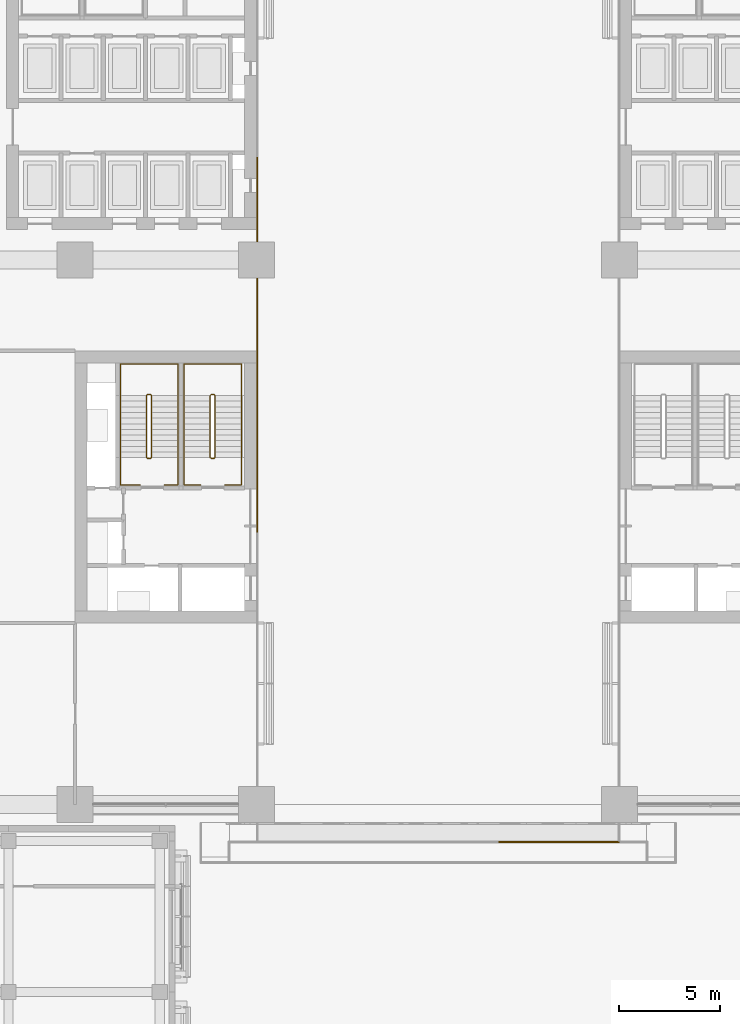
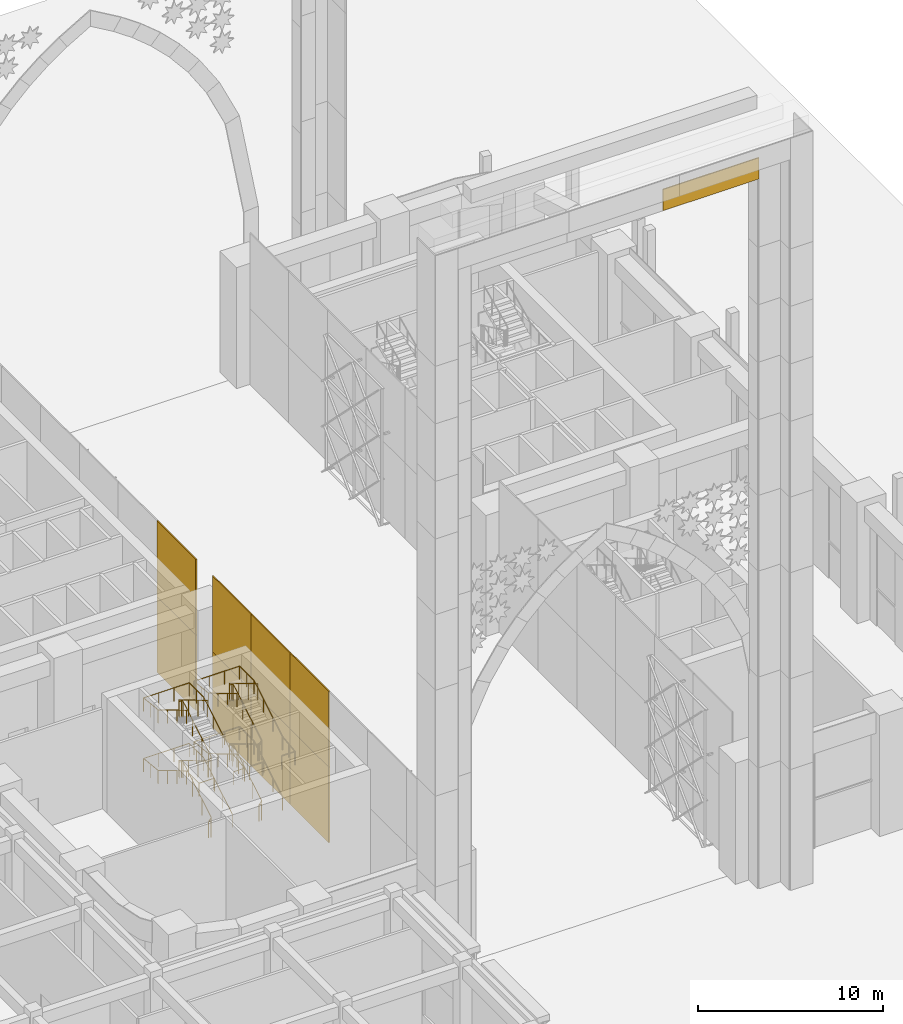
# One storey, part 51 of 64: 9 coverings, 6 railings.
"""IFC4 building model written with IfcOpenShell, lengths in metres."""

from ifc_helpers import new_model, si_unit, direction, frame, origin, origin_2d, place, context, subcontext, project, spatial, rectangle, circle, extrude, material, layer, layer_set, type_object, element, save


model = new_model("IFC4")

# Units and contexts
model_context = context("Model", 3, precision=1e-05, world=origin(), true_north=direction((0.0, 1.0)))
body_context = subcontext(model_context, "Body", "Model", "MODEL_VIEW")
ifc_project = project(units=[si_unit("LENGTHUNIT", "METRE"), si_unit("AREAUNIT", "SQUARE_METRE"), si_unit("VOLUMEUNIT", "CUBIC_METRE"), si_unit("PLANEANGLEUNIT", "RADIAN"), si_unit("MASSUNIT", "GRAM", prefix="KILO")], contexts=[model_context])

# Site, building, storey
site_placement = place(None, origin())
site = spatial("IfcSite", under=ifc_project, at=site_placement, CompositionType="ELEMENT")
building_placement = place(site_placement, origin())
building = spatial("IfcBuilding", under=site, at=building_placement, Name="Tessera Arch", CompositionType="ELEMENT")
storey_placement = place(building_placement, origin())
storey = spatial("IfcBuildingStorey", under=building, at=storey_placement, Name="L00", CompositionType="ELEMENT", Elevation=0.0)

# Coverings
ifc_material_1 = material(Name="Aluminium cladding pale metal anodised", Category="aluminium")
ifc_layer = layer(ifc_material_1, 0.070068359375)
ifc_layer_set = layer_set([ifc_layer], Name="Arch jamb panel")
covering_type = type_object("IfcCoveringType", Name="Arch jamb panel", PredefinedType="CLADDING", material=ifc_layer_set)
for number, where, z_axis, x_axis, name in (
    (1, (18.034912109375, 15.60009765625, 0.0), (0.0, 0.0, 1.0), (1.0, 0.0, 0.0), "Arch jamb panel W1-4"),
    (2, (18.034912109375, 19.800048828125, 0.0), (0.0, 0.0, 1.0), (1.0, 0.0, 0.0), "Arch jamb panel W1-5"),
    (3, (18.034912109375, 24.0, 0.0), (0.0, 0.0, 1.0), (1.0, 0.0, 0.0), "Arch jamb panel W1-6"),
    (4, (18.034912109375, 30.0, 0.0), (0.0, 0.0, 1.0), (1.0, 0.0, 0.0), "Arch jamb panel W1-7"),
    (5, (18.034912109375, 15.60009765625, 5.0), (0.0, 0.0, 1.0), (1.0, 0.0, 0.0), "Arch jamb panel W2-4"),
    (6, (18.034912109375, 19.800048828125, 5.0), (0.0, 0.0, 1.0), (1.0, 0.0, 0.0), "Arch jamb panel W2-5"),
    (7, (18.034912109375, 24.0, 5.0), (0.0, 0.0, 1.0), (1.0, 0.0, 0.0), "Arch jamb panel W2-6"),
    (8, (18.034912109375, 30.0, 5.0), (0.0, 0.0, 1.0), (1.0, 0.0, 0.0), "Arch jamb panel W2-7"),
):
    element("IfcCovering", number, at=place(storey_placement, frame(where, z_axis=z_axis, x_axis=x_axis)), inside=storey, type_object=covering_type, Name=name, PredefinedType="CLADDING", context=body_context, shape_type="SweptSolid", body=[
        extrude(rectangle(XDim=0.070068359375, YDim=4.199951171875, at=origin_2d()), origin(), (0.0, 0.0, 1.0), 5.0),
    ])
covering_placement = place(storey_placement, frame((33.0, -1.864990234375, 46.900146484375), z_axis=(0.0, 0.0, 1.0), x_axis=(1.0, 0.0, 0.0)))
element("IfcCovering", 9, at=covering_placement, inside=storey, type_object=covering_type, Name="Gate frame panel S80", PredefinedType="CLADDING", context=body_context, shape_type="SweptSolid", body=[
    extrude(rectangle(XDim=6.0, YDim=0.070068359375, at=origin_2d()), origin(), (0.0, 0.0, 1.0), 1.39990234375),
])

# Railings
ifc_material_2 = material(Name="Painted steel balustrade", Category="steel")
railing_type_1 = type_object("IfcRailingType", Name="Stair guard 1100", PredefinedType="GUARDRAIL", material=ifc_material_2)
railing_1_placement = place(storey_placement, frame((15.89990234375, 17.14990234375, 0.0)))
element("IfcRailing", 10, at=railing_1_placement, inside=storey, type_object=railing_type_1, Name="L00 S4a stair guard 1", PredefinedType="GUARDRAIL", context=body_context, shape_type="SweptSolid", body=[
    extrude(circle(Radius=0.02392578125, at=origin_2d()), frame((0.00390625, 0.0, 1.076171875), z_axis=(-1.0, 0.0, 0.0), x_axis=(0.0, -1.0, 0.0)), (0.0, 0.0, 1.0), 0.157958984375),
    extrude(circle(Radius=0.02392578125, at=origin_2d()), frame((-0.15283203125, -0.000732421875, 1.073486328125), z_axis=(0.754182335027, 0.188775798145, 0.628945707965), x_axis=(-0.242814311512, 0.970072785993, 0.0)), (0.0, 0.0, 1.0), 0.273193359375),
    extrude(circle(Radius=0.02392578125, at=origin_2d()), frame((0.050048828125, 0.046630859375, 1.24072265625), z_axis=(0.0, 0.859308565015, 0.511457515432), x_axis=(-1.0, 0.0, 0.0)), (0.0, 0.0, 1.0), 3.59228515625),
    extrude(circle(Radius=0.02392578125, at=origin_2d()), frame((0.052978515625, 3.127197265625, 3.076171875), z_axis=(-0.707106781187, 0.707106781187, 0.0), x_axis=(-0.707106781187, -0.707106781187, 0.0)), (0.0, 0.0, 1.0), 0.078857421875),
    extrude(circle(Radius=0.02392578125, at=origin_2d()), frame((0.00390625, 3.18017578125, 3.076171875), z_axis=(-1.0, 0.0, 0.0), x_axis=(0.0, -1.0, 0.0)), (0.0, 0.0, 1.0), 0.157958984375),
    extrude(circle(Radius=0.02392578125, at=origin_2d()), frame((-0.148681640625, 3.181396484375, 3.072265625), z_axis=(-0.27628659633, -0.27628659633, 0.920506074601), x_axis=(0.707106781187, -0.707106781187, 0.0)), (0.0, 0.0, 1.0), 0.189208984375),
    extrude(circle(Radius=0.02392578125, at=origin_2d()), frame((-0.199951171875, 3.133544921875, 3.24072265625), z_axis=(0.0, -0.859308565015, 0.511457515432), x_axis=(1.0, 0.0, 0.0)), (0.0, 0.0, 1.0), 3.59228515625),
    extrude(circle(Radius=0.02392578125, at=origin_2d()), frame((-0.203857421875, 0.051025390625, 5.076171875), z_axis=(0.970072785993, -0.242814311512, 0.0), x_axis=(0.242814311512, 0.970072785993, 0.0)), (0.0, 0.0, 1.0), 0.214111328125),
    extrude(circle(Radius=0.02392578125, at=origin_2d()), frame((0.00390625, 0.0, 5.076171875), z_axis=(-1.0, 0.0, 0.0), x_axis=(0.0, -1.0, 0.0)), (0.0, 0.0, 1.0), 0.157958984375),
    extrude(circle(Radius=0.02392578125, at=origin_2d()), frame((-0.15283203125, -0.000732421875, 5.073486328125), z_axis=(0.754182335027, 0.188775798145, 0.628945707965), x_axis=(-0.242814311512, 0.970072785993, 0.0)), (0.0, 0.0, 1.0), 0.273193359375),
    extrude(circle(Radius=0.02392578125, at=origin_2d()), frame((0.050048828125, 0.046630859375, 5.24072265625), z_axis=(0.0, 0.859308565015, 0.511457515432), x_axis=(-1.0, 0.0, 0.0)), (0.0, 0.0, 1.0), 3.59228515625),
    extrude(circle(Radius=0.02392578125, at=origin_2d()), frame((0.052978515625, 3.127197265625, 7.076171875), z_axis=(-0.707106781187, 0.707106781187, 0.0), x_axis=(-0.707106781187, -0.707106781187, 0.0)), (0.0, 0.0, 1.0), 0.078857421875),
    extrude(circle(Radius=0.02392578125, at=origin_2d()), frame((0.00390625, 3.18017578125, 7.076171875), z_axis=(-1.0, 0.0, 0.0), x_axis=(0.0, -1.0, 0.0)), (0.0, 0.0, 1.0), 0.157958984375),
    extrude(circle(Radius=0.02392578125, at=origin_2d()), frame((-0.148681640625, 3.181396484375, 7.072265625), z_axis=(-0.27628659633, -0.27628659633, 0.920506074601), x_axis=(0.707106781187, -0.707106781187, 0.0)), (0.0, 0.0, 1.0), 0.189208984375),
    extrude(circle(Radius=0.02392578125, at=origin_2d()), frame((-0.199951171875, 3.133544921875, 7.24072265625), z_axis=(0.0, -0.859308565015, 0.511457515432), x_axis=(1.0, 0.0, 0.0)), (0.0, 0.0, 1.0), 3.59228515625),
    extrude(circle(Radius=0.02099609375, at=origin_2d()), origin(), (0.0, 0.0, 1.0), 1.06396484375),
    extrude(circle(Radius=0.02099609375, at=origin_2d()), frame((-0.14990234375, 0.0, 0.0)), (0.0, 0.0, 1.0), 1.06396484375),
    extrude(circle(Radius=0.02099609375, at=origin_2d()), frame((0.050048828125, 0.050048828125, 0.166748046875)), (0.0, 0.0, 1.0), 1.06396484375),
    extrude(circle(Radius=0.02099609375, at=origin_2d()), frame((0.050048828125, 1.07666015625, 0.77783203125)), (0.0, 0.0, 1.0), 1.06396484375),
    extrude(circle(Radius=0.02099609375, at=origin_2d()), frame((0.050048828125, 2.103515625, 1.388916015625)), (0.0, 0.0, 1.0), 1.06396484375),
    extrude(circle(Radius=0.02099609375, at=origin_2d()), frame((0.050048828125, 3.130126953125, 2.0)), (0.0, 0.0, 1.0), 1.06396484375),
    extrude(circle(Radius=0.02099609375, at=origin_2d()), frame((0.0, 3.18017578125, 2.0)), (0.0, 0.0, 1.0), 1.06396484375),
    extrude(circle(Radius=0.02099609375, at=origin_2d()), frame((-0.14990234375, 3.18017578125, 2.0)), (0.0, 0.0, 1.0), 1.06396484375),
    extrude(circle(Radius=0.02099609375, at=origin_2d()), frame((-0.199951171875, 3.130126953125, 2.166748046875)), (0.0, 0.0, 1.0), 1.06396484375),
    extrude(circle(Radius=0.02099609375, at=origin_2d()), frame((-0.199951171875, 2.103515625, 2.77783203125)), (0.0, 0.0, 1.0), 1.06396484375),
    extrude(circle(Radius=0.02099609375, at=origin_2d()), frame((-0.199951171875, 1.07666015625, 3.388916015625)), (0.0, 0.0, 1.0), 1.06396484375),
    extrude(circle(Radius=0.02099609375, at=origin_2d()), frame((-0.199951171875, 0.050048828125, 4.0)), (0.0, 0.0, 1.0), 1.06396484375),
    extrude(circle(Radius=0.02099609375, at=origin_2d()), frame((0.0, 0.0, 4.0)), (0.0, 0.0, 1.0), 1.06396484375),
    extrude(circle(Radius=0.02099609375, at=origin_2d()), frame((-0.14990234375, 0.0, 4.0)), (0.0, 0.0, 1.0), 1.06396484375),
    extrude(circle(Radius=0.02099609375, at=origin_2d()), frame((0.050048828125, 0.050048828125, 4.166748046875)), (0.0, 0.0, 1.0), 1.06396484375),
    extrude(circle(Radius=0.02099609375, at=origin_2d()), frame((0.050048828125, 1.07666015625, 4.77783203125)), (0.0, 0.0, 1.0), 1.06396484375),
    extrude(circle(Radius=0.02099609375, at=origin_2d()), frame((0.050048828125, 2.103515625, 5.388916015625)), (0.0, 0.0, 1.0), 1.06396484375),
    extrude(circle(Radius=0.02099609375, at=origin_2d()), frame((0.050048828125, 3.130126953125, 6.0)), (0.0, 0.0, 1.0), 1.06396484375),
    extrude(circle(Radius=0.02099609375, at=origin_2d()), frame((0.0, 3.18017578125, 6.0)), (0.0, 0.0, 1.0), 1.06396484375),
    extrude(circle(Radius=0.02099609375, at=origin_2d()), frame((-0.14990234375, 3.18017578125, 6.0)), (0.0, 0.0, 1.0), 1.06396484375),
    extrude(circle(Radius=0.02099609375, at=origin_2d()), frame((-0.199951171875, 3.130126953125, 6.166748046875)), (0.0, 0.0, 1.0), 1.06396484375),
    extrude(circle(Radius=0.02099609375, at=origin_2d()), frame((-0.199951171875, 2.103515625, 6.77783203125)), (0.0, 0.0, 1.0), 1.06396484375),
    extrude(circle(Radius=0.02099609375, at=origin_2d()), frame((-0.199951171875, 1.07666015625, 7.388916015625)), (0.0, 0.0, 1.0), 1.06396484375),
    extrude(circle(Radius=0.02099609375, at=origin_2d()), frame((-0.199951171875, 0.050048828125, 8.0)), (0.0, 0.0, 1.0), 1.06396484375),
])
railing_2_placement = place(storey_placement, frame((12.75, 17.14990234375, 0.0)))
element("IfcRailing", 11, at=railing_2_placement, inside=storey, type_object=railing_type_1, Name="L00 S4b stair guard 1", PredefinedType="GUARDRAIL", context=body_context, shape_type="SweptSolid", body=[
    extrude(circle(Radius=0.02392578125, at=origin_2d()), frame((0.00390625, 0.0, 1.076171875), z_axis=(-1.0, 0.0, 0.0), x_axis=(0.0, -1.0, 0.0)), (0.0, 0.0, 1.0), 0.157958984375),
    extrude(circle(Radius=0.02392578125, at=origin_2d()), frame((-0.15283203125, -0.000732421875, 1.073486328125), z_axis=(0.754182335027, 0.188775798145, 0.628945707965), x_axis=(-0.242814311512, 0.970072785993, 0.0)), (0.0, 0.0, 1.0), 0.273193359375),
    extrude(circle(Radius=0.02392578125, at=origin_2d()), frame((0.050048828125, 0.046630859375, 1.24072265625), z_axis=(0.0, 0.859308565015, 0.511457515432), x_axis=(-1.0, 0.0, 0.0)), (0.0, 0.0, 1.0), 3.59228515625),
    extrude(circle(Radius=0.02392578125, at=origin_2d()), frame((0.052978515625, 3.127197265625, 3.076171875), z_axis=(-0.707106781187, 0.707106781187, 0.0), x_axis=(-0.707106781187, -0.707106781187, 0.0)), (0.0, 0.0, 1.0), 0.078857421875),
    extrude(circle(Radius=0.02392578125, at=origin_2d()), frame((0.00390625, 3.18017578125, 3.076171875), z_axis=(-1.0, 0.0, 0.0), x_axis=(0.0, -1.0, 0.0)), (0.0, 0.0, 1.0), 0.157958984375),
    extrude(circle(Radius=0.02392578125, at=origin_2d()), frame((-0.148681640625, 3.181396484375, 3.072265625), z_axis=(-0.27628659633, -0.27628659633, 0.920506074601), x_axis=(0.707106781187, -0.707106781187, 0.0)), (0.0, 0.0, 1.0), 0.189208984375),
    extrude(circle(Radius=0.02392578125, at=origin_2d()), frame((-0.199951171875, 3.133544921875, 3.24072265625), z_axis=(0.0, -0.859308565015, 0.511457515432), x_axis=(1.0, 0.0, 0.0)), (0.0, 0.0, 1.0), 3.59228515625),
    extrude(circle(Radius=0.02392578125, at=origin_2d()), frame((-0.203857421875, 0.051025390625, 5.076171875), z_axis=(0.970072785993, -0.242814311512, 0.0), x_axis=(0.242814311512, 0.970072785993, 0.0)), (0.0, 0.0, 1.0), 0.214111328125),
    extrude(circle(Radius=0.02392578125, at=origin_2d()), frame((0.00390625, 0.0, 5.076171875), z_axis=(-1.0, 0.0, 0.0), x_axis=(0.0, -1.0, 0.0)), (0.0, 0.0, 1.0), 0.157958984375),
    extrude(circle(Radius=0.02392578125, at=origin_2d()), frame((-0.15283203125, -0.000732421875, 5.073486328125), z_axis=(0.754182335027, 0.188775798145, 0.628945707965), x_axis=(-0.242814311512, 0.970072785993, 0.0)), (0.0, 0.0, 1.0), 0.273193359375),
    extrude(circle(Radius=0.02392578125, at=origin_2d()), frame((0.050048828125, 0.046630859375, 5.24072265625), z_axis=(0.0, 0.859308565015, 0.511457515432), x_axis=(-1.0, 0.0, 0.0)), (0.0, 0.0, 1.0), 3.59228515625),
    extrude(circle(Radius=0.02392578125, at=origin_2d()), frame((0.052978515625, 3.127197265625, 7.076171875), z_axis=(-0.707106781187, 0.707106781187, 0.0), x_axis=(-0.707106781187, -0.707106781187, 0.0)), (0.0, 0.0, 1.0), 0.078857421875),
    extrude(circle(Radius=0.02392578125, at=origin_2d()), frame((0.00390625, 3.18017578125, 7.076171875), z_axis=(-1.0, 0.0, 0.0), x_axis=(0.0, -1.0, 0.0)), (0.0, 0.0, 1.0), 0.157958984375),
    extrude(circle(Radius=0.02392578125, at=origin_2d()), frame((-0.148681640625, 3.181396484375, 7.072265625), z_axis=(-0.27628659633, -0.27628659633, 0.920506074601), x_axis=(0.707106781187, -0.707106781187, 0.0)), (0.0, 0.0, 1.0), 0.189208984375),
    extrude(circle(Radius=0.02392578125, at=origin_2d()), frame((-0.199951171875, 3.133544921875, 7.24072265625), z_axis=(0.0, -0.859308565015, 0.511457515432), x_axis=(1.0, 0.0, 0.0)), (0.0, 0.0, 1.0), 3.59228515625),
    extrude(circle(Radius=0.02099609375, at=origin_2d()), origin(), (0.0, 0.0, 1.0), 1.06396484375),
    extrude(circle(Radius=0.02099609375, at=origin_2d()), frame((-0.14990234375, 0.0, 0.0)), (0.0, 0.0, 1.0), 1.06396484375),
    extrude(circle(Radius=0.02099609375, at=origin_2d()), frame((0.050048828125, 0.050048828125, 0.166748046875)), (0.0, 0.0, 1.0), 1.06396484375),
    extrude(circle(Radius=0.02099609375, at=origin_2d()), frame((0.050048828125, 1.07666015625, 0.77783203125)), (0.0, 0.0, 1.0), 1.06396484375),
    extrude(circle(Radius=0.02099609375, at=origin_2d()), frame((0.050048828125, 2.103515625, 1.388916015625)), (0.0, 0.0, 1.0), 1.06396484375),
    extrude(circle(Radius=0.02099609375, at=origin_2d()), frame((0.050048828125, 3.130126953125, 2.0)), (0.0, 0.0, 1.0), 1.06396484375),
    extrude(circle(Radius=0.02099609375, at=origin_2d()), frame((0.0, 3.18017578125, 2.0)), (0.0, 0.0, 1.0), 1.06396484375),
    extrude(circle(Radius=0.02099609375, at=origin_2d()), frame((-0.14990234375, 3.18017578125, 2.0)), (0.0, 0.0, 1.0), 1.06396484375),
    extrude(circle(Radius=0.02099609375, at=origin_2d()), frame((-0.199951171875, 3.130126953125, 2.166748046875)), (0.0, 0.0, 1.0), 1.06396484375),
    extrude(circle(Radius=0.02099609375, at=origin_2d()), frame((-0.199951171875, 2.103515625, 2.77783203125)), (0.0, 0.0, 1.0), 1.06396484375),
    extrude(circle(Radius=0.02099609375, at=origin_2d()), frame((-0.199951171875, 1.07666015625, 3.388916015625)), (0.0, 0.0, 1.0), 1.06396484375),
    extrude(circle(Radius=0.02099609375, at=origin_2d()), frame((-0.199951171875, 0.050048828125, 4.0)), (0.0, 0.0, 1.0), 1.06396484375),
    extrude(circle(Radius=0.02099609375, at=origin_2d()), frame((0.0, 0.0, 4.0)), (0.0, 0.0, 1.0), 1.06396484375),
    extrude(circle(Radius=0.02099609375, at=origin_2d()), frame((-0.14990234375, 0.0, 4.0)), (0.0, 0.0, 1.0), 1.06396484375),
    extrude(circle(Radius=0.02099609375, at=origin_2d()), frame((0.050048828125, 0.050048828125, 4.166748046875)), (0.0, 0.0, 1.0), 1.06396484375),
    extrude(circle(Radius=0.02099609375, at=origin_2d()), frame((0.050048828125, 1.07666015625, 4.77783203125)), (0.0, 0.0, 1.0), 1.06396484375),
    extrude(circle(Radius=0.02099609375, at=origin_2d()), frame((0.050048828125, 2.103515625, 5.388916015625)), (0.0, 0.0, 1.0), 1.06396484375),
    extrude(circle(Radius=0.02099609375, at=origin_2d()), frame((0.050048828125, 3.130126953125, 6.0)), (0.0, 0.0, 1.0), 1.06396484375),
    extrude(circle(Radius=0.02099609375, at=origin_2d()), frame((0.0, 3.18017578125, 6.0)), (0.0, 0.0, 1.0), 1.06396484375),
    extrude(circle(Radius=0.02099609375, at=origin_2d()), frame((-0.14990234375, 3.18017578125, 6.0)), (0.0, 0.0, 1.0), 1.06396484375),
    extrude(circle(Radius=0.02099609375, at=origin_2d()), frame((-0.199951171875, 3.130126953125, 6.166748046875)), (0.0, 0.0, 1.0), 1.06396484375),
    extrude(circle(Radius=0.02099609375, at=origin_2d()), frame((-0.199951171875, 2.103515625, 6.77783203125)), (0.0, 0.0, 1.0), 1.06396484375),
    extrude(circle(Radius=0.02099609375, at=origin_2d()), frame((-0.199951171875, 1.07666015625, 7.388916015625)), (0.0, 0.0, 1.0), 1.06396484375),
    extrude(circle(Radius=0.02099609375, at=origin_2d()), frame((-0.199951171875, 0.050048828125, 8.0)), (0.0, 0.0, 1.0), 1.06396484375),
])
ifc_material_3 = material(Name="Painted steel handrail", Category="steel")
railing_type_2 = type_object("IfcRailingType", Name="Stair handrail 900", PredefinedType="HANDRAIL", material=ifc_material_3)
railing_3_placement = place(storey_placement, frame((17.25, 17.199951171875, 0.166748046875)))
element("IfcRailing", 12, at=railing_3_placement, inside=storey, type_object=railing_type_2, Name="L00 S4a stair handrail", PredefinedType="HANDRAIL", context=body_context, shape_type="SweptSolid", body=[
    extrude(circle(Radius=0.02392578125, at=origin_2d()), frame((0.0, -0.00341796875, 0.873779296875), z_axis=(0.0, 0.859308565015, 0.511457515432), x_axis=(-1.0, 0.0, 0.0)), (0.0, 0.0, 1.0), 3.59228515625),
    extrude(circle(Radius=0.02392578125, at=origin_2d()), frame((0.0, 3.076171875, 2.708984375), z_axis=(0.0, 1.0, 0.0), x_axis=(-1.0, 0.0, 0.0)), (0.0, 0.0, 1.0), 1.578125),
    extrude(circle(Radius=0.02392578125, at=origin_2d()), frame((0.00390625, 4.650146484375, 2.708984375), z_axis=(-1.0, 0.0, 0.0), x_axis=(0.0, -1.0, 0.0)), (0.0, 0.0, 1.0), 2.858154296875),
    extrude(circle(Radius=0.02392578125, at=origin_2d()), frame((-2.85009765625, 4.654052734375, 2.708740234375), z_axis=(0.0, -0.994407585821, 0.105610384251), x_axis=(1.0, 0.0, 0.0)), (0.0, 0.0, 1.0), 1.5869140625),
    extrude(circle(Radius=0.02392578125, at=origin_2d()), frame((-2.85009765625, 3.08349609375, 2.873779296875), z_axis=(0.0, -0.859308565015, 0.511457515432), x_axis=(1.0, 0.0, 0.0)), (0.0, 0.0, 1.0), 3.59228515625),
    extrude(circle(Radius=0.02392578125, at=origin_2d()), frame((-2.85009765625, 0.00390625, 4.708984375), z_axis=(0.0, -1.0, 0.0), x_axis=(1.0, 0.0, 0.0)), (0.0, 0.0, 1.0), 1.35791015625),
    extrude(circle(Radius=0.02392578125, at=origin_2d()), frame((-2.85400390625, -1.349853515625, 4.708984375), z_axis=(1.0, 0.0, 0.0), x_axis=(0.0, 1.0, 0.0)), (0.0, 0.0, 1.0), 0.833251953125),
    extrude(circle(Radius=0.02099609375, at=origin_2d()), origin(), (0.0, 0.0, 1.0), 0.86376953125),
    extrude(circle(Radius=0.02099609375, at=origin_2d()), frame((0.0, 1.026611328125, 0.611083984375)), (0.0, 0.0, 1.0), 0.86376953125),
    extrude(circle(Radius=0.02099609375, at=origin_2d()), frame((0.0, 2.053466796875, 1.22216796875)), (0.0, 0.0, 1.0), 0.86376953125),
    extrude(circle(Radius=0.02099609375, at=origin_2d()), frame((0.0, 3.080078125, 1.833251953125)), (0.0, 0.0, 1.0), 0.86376953125),
    extrude(circle(Radius=0.02099609375, at=origin_2d()), frame((0.0, 3.865234375, 1.833251953125)), (0.0, 0.0, 1.0), 0.86376953125),
    extrude(circle(Radius=0.02099609375, at=origin_2d()), frame((0.0, 4.650146484375, 1.833251953125)), (0.0, 0.0, 1.0), 0.86376953125),
    extrude(circle(Radius=0.02099609375, at=origin_2d()), frame((-0.949951171875, 4.650146484375, 1.833251953125)), (0.0, 0.0, 1.0), 0.86376953125),
    extrude(circle(Radius=0.02099609375, at=origin_2d()), frame((-1.900146484375, 4.650146484375, 1.833251953125)), (0.0, 0.0, 1.0), 0.86376953125),
    extrude(circle(Radius=0.02099609375, at=origin_2d()), frame((-2.85009765625, 4.650146484375, 1.833251953125)), (0.0, 0.0, 1.0), 0.86376953125),
    extrude(circle(Radius=0.02099609375, at=origin_2d()), frame((-2.85009765625, 3.865234375, 1.91650390625)), (0.0, 0.0, 1.0), 0.86376953125),
    extrude(circle(Radius=0.02099609375, at=origin_2d()), frame((-2.85009765625, 3.080078125, 2.0)), (0.0, 0.0, 1.0), 0.86376953125),
    extrude(circle(Radius=0.02099609375, at=origin_2d()), frame((-2.85009765625, 2.053466796875, 2.611083984375)), (0.0, 0.0, 1.0), 0.86376953125),
    extrude(circle(Radius=0.02099609375, at=origin_2d()), frame((-2.85009765625, 1.026611328125, 3.22216796875)), (0.0, 0.0, 1.0), 0.86376953125),
    extrude(circle(Radius=0.02099609375, at=origin_2d()), frame((-2.85009765625, 0.0, 3.833251953125)), (0.0, 0.0, 1.0), 0.86376953125),
    extrude(circle(Radius=0.02099609375, at=origin_2d()), frame((-2.85009765625, -0.6748046875, 3.833251953125)), (0.0, 0.0, 1.0), 0.86376953125),
    extrude(circle(Radius=0.02099609375, at=origin_2d()), frame((-2.85009765625, -1.349853515625, 3.833251953125)), (0.0, 0.0, 1.0), 0.86376953125),
    extrude(circle(Radius=0.02099609375, at=origin_2d()), frame((-2.02490234375, -1.349853515625, 3.833251953125)), (0.0, 0.0, 1.0), 0.86376953125),
])
railing_4_placement = place(storey_placement, frame((16.425048828125, 15.85009765625, 4.0)))
element("IfcRailing", 13, at=railing_4_placement, inside=storey, type_object=railing_type_2, Name="L00 S4a stair handrail 2", PredefinedType="HANDRAIL", context=body_context, shape_type="SweptSolid", body=[
    extrude(circle(Radius=0.02392578125, at=origin_2d()), frame((-0.00390625, 0.0, 0.8759765625), z_axis=(1.0, 0.0, 0.0), x_axis=(0.0, 1.0, 0.0)), (0.0, 0.0, 1.0), 0.8330078125),
    extrude(circle(Radius=0.02392578125, at=origin_2d()), frame((0.824951171875, -0.00390625, 0.875244140625), z_axis=(0.0, 0.992456337791, 0.122598603493), x_axis=(-1.0, 0.0, 0.0)), (0.0, 0.0, 1.0), 1.3681640625),
    extrude(circle(Radius=0.02392578125, at=origin_2d()), frame((0.824951171875, 1.346435546875, 1.04052734375), z_axis=(0.0, 0.859308565015, 0.511457515432), x_axis=(-1.0, 0.0, 0.0)), (0.0, 0.0, 1.0), 3.59228515625),
    extrude(circle(Radius=0.02392578125, at=origin_2d()), frame((0.824951171875, 4.426025390625, 2.8759765625), z_axis=(0.0, 1.0, 0.0), x_axis=(-1.0, 0.0, 0.0)), (0.0, 0.0, 1.0), 1.578125),
    extrude(circle(Radius=0.02392578125, at=origin_2d()), frame((0.828857421875, 6.0, 2.8759765625), z_axis=(-1.0, 0.0, 0.0), x_axis=(0.0, -1.0, 0.0)), (0.0, 0.0, 1.0), 2.858154296875),
    extrude(circle(Radius=0.02392578125, at=origin_2d()), frame((-2.025146484375, 6.00390625, 2.87548828125), z_axis=(0.0, -0.994407585821, 0.105610384251), x_axis=(1.0, 0.0, 0.0)), (0.0, 0.0, 1.0), 1.5869140625),
    extrude(circle(Radius=0.02392578125, at=origin_2d()), frame((-2.025146484375, 4.433349609375, 3.04052734375), z_axis=(0.0, -0.859308565015, 0.511457515432), x_axis=(1.0, 0.0, 0.0)), (0.0, 0.0, 1.0), 3.59228515625),
    extrude(circle(Radius=0.02099609375, at=origin_2d()), origin(), (0.0, 0.0, 1.0), 0.86376953125),
    extrude(circle(Radius=0.02099609375, at=origin_2d()), frame((0.824951171875, 0.0, 0.0)), (0.0, 0.0, 1.0), 0.86376953125),
    extrude(circle(Radius=0.02099609375, at=origin_2d()), frame((0.824951171875, 0.6748046875, 0.08349609375)), (0.0, 0.0, 1.0), 0.86376953125),
    extrude(circle(Radius=0.02099609375, at=origin_2d()), frame((0.824951171875, 1.349853515625, 0.166748046875)), (0.0, 0.0, 1.0), 0.86376953125),
    extrude(circle(Radius=0.02099609375, at=origin_2d()), frame((0.824951171875, 2.37646484375, 0.77783203125)), (0.0, 0.0, 1.0), 0.86376953125),
    extrude(circle(Radius=0.02099609375, at=origin_2d()), frame((0.824951171875, 3.4033203125, 1.388916015625)), (0.0, 0.0, 1.0), 0.86376953125),
    extrude(circle(Radius=0.02099609375, at=origin_2d()), frame((0.824951171875, 4.429931640625, 2.0)), (0.0, 0.0, 1.0), 0.86376953125),
    extrude(circle(Radius=0.02099609375, at=origin_2d()), frame((0.824951171875, 5.21484375, 2.0)), (0.0, 0.0, 1.0), 0.86376953125),
    extrude(circle(Radius=0.02099609375, at=origin_2d()), frame((0.824951171875, 6.0, 2.0)), (0.0, 0.0, 1.0), 0.86376953125),
    extrude(circle(Radius=0.02099609375, at=origin_2d()), frame((-0.125, 6.0, 2.0)), (0.0, 0.0, 1.0), 0.86376953125),
    extrude(circle(Radius=0.02099609375, at=origin_2d()), frame((-1.0751953125, 6.0, 2.0)), (0.0, 0.0, 1.0), 0.86376953125),
    extrude(circle(Radius=0.02099609375, at=origin_2d()), frame((-2.025146484375, 6.0, 2.0)), (0.0, 0.0, 1.0), 0.86376953125),
    extrude(circle(Radius=0.02099609375, at=origin_2d()), frame((-2.025146484375, 5.21484375, 2.08349609375)), (0.0, 0.0, 1.0), 0.86376953125),
    extrude(circle(Radius=0.02099609375, at=origin_2d()), frame((-2.025146484375, 4.429931640625, 2.166748046875)), (0.0, 0.0, 1.0), 0.86376953125),
    extrude(circle(Radius=0.02099609375, at=origin_2d()), frame((-2.025146484375, 3.4033203125, 2.77783203125)), (0.0, 0.0, 1.0), 0.86376953125),
    extrude(circle(Radius=0.02099609375, at=origin_2d()), frame((-2.025146484375, 2.37646484375, 3.388916015625)), (0.0, 0.0, 1.0), 0.86376953125),
    extrude(circle(Radius=0.02099609375, at=origin_2d()), frame((-2.025146484375, 1.349853515625, 4.0)), (0.0, 0.0, 1.0), 0.86376953125),
])
railing_5_placement = place(storey_placement, frame((14.10009765625, 17.199951171875, 0.166748046875)))
element("IfcRailing", 14, at=railing_5_placement, inside=storey, type_object=railing_type_2, Name="L00 S4b stair handrail", PredefinedType="HANDRAIL", context=body_context, shape_type="SweptSolid", body=[
    extrude(circle(Radius=0.02392578125, at=origin_2d()), frame((0.0, -0.00341796875, 0.873779296875), z_axis=(0.0, 0.859308565015, 0.511457515432), x_axis=(-1.0, 0.0, 0.0)), (0.0, 0.0, 1.0), 3.59228515625),
    extrude(circle(Radius=0.02392578125, at=origin_2d()), frame((0.0, 3.076171875, 2.708984375), z_axis=(0.0, 1.0, 0.0), x_axis=(-1.0, 0.0, 0.0)), (0.0, 0.0, 1.0), 1.578125),
    extrude(circle(Radius=0.02392578125, at=origin_2d()), frame((0.00390625, 4.650146484375, 2.708984375), z_axis=(-1.0, 0.0, 0.0), x_axis=(0.0, -1.0, 0.0)), (0.0, 0.0, 1.0), 2.858154296875),
    extrude(circle(Radius=0.02392578125, at=origin_2d()), frame((-2.85009765625, 4.654052734375, 2.708740234375), z_axis=(0.0, -0.994407585821, 0.105610384251), x_axis=(1.0, 0.0, 0.0)), (0.0, 0.0, 1.0), 1.5869140625),
    extrude(circle(Radius=0.02392578125, at=origin_2d()), frame((-2.85009765625, 3.08349609375, 2.873779296875), z_axis=(0.0, -0.859308565015, 0.511457515432), x_axis=(1.0, 0.0, 0.0)), (0.0, 0.0, 1.0), 3.59228515625),
    extrude(circle(Radius=0.02392578125, at=origin_2d()), frame((-2.85009765625, 0.00390625, 4.708984375), z_axis=(0.0, -1.0, 0.0), x_axis=(1.0, 0.0, 0.0)), (0.0, 0.0, 1.0), 1.35791015625),
    extrude(circle(Radius=0.02392578125, at=origin_2d()), frame((-2.85400390625, -1.349853515625, 4.708984375), z_axis=(1.0, 0.0, 0.0), x_axis=(0.0, 1.0, 0.0)), (0.0, 0.0, 1.0), 0.983154296875),
    extrude(circle(Radius=0.02099609375, at=origin_2d()), origin(), (0.0, 0.0, 1.0), 0.86376953125),
    extrude(circle(Radius=0.02099609375, at=origin_2d()), frame((0.0, 1.026611328125, 0.611083984375)), (0.0, 0.0, 1.0), 0.86376953125),
    extrude(circle(Radius=0.02099609375, at=origin_2d()), frame((0.0, 2.053466796875, 1.22216796875)), (0.0, 0.0, 1.0), 0.86376953125),
    extrude(circle(Radius=0.02099609375, at=origin_2d()), frame((0.0, 3.080078125, 1.833251953125)), (0.0, 0.0, 1.0), 0.86376953125),
    extrude(circle(Radius=0.02099609375, at=origin_2d()), frame((0.0, 3.865234375, 1.833251953125)), (0.0, 0.0, 1.0), 0.86376953125),
    extrude(circle(Radius=0.02099609375, at=origin_2d()), frame((0.0, 4.650146484375, 1.833251953125)), (0.0, 0.0, 1.0), 0.86376953125),
    extrude(circle(Radius=0.02099609375, at=origin_2d()), frame((-0.949951171875, 4.650146484375, 1.833251953125)), (0.0, 0.0, 1.0), 0.86376953125),
    extrude(circle(Radius=0.02099609375, at=origin_2d()), frame((-1.900146484375, 4.650146484375, 1.833251953125)), (0.0, 0.0, 1.0), 0.86376953125),
    extrude(circle(Radius=0.02099609375, at=origin_2d()), frame((-2.85009765625, 4.650146484375, 1.833251953125)), (0.0, 0.0, 1.0), 0.86376953125),
    extrude(circle(Radius=0.02099609375, at=origin_2d()), frame((-2.85009765625, 3.865234375, 1.91650390625)), (0.0, 0.0, 1.0), 0.86376953125),
    extrude(circle(Radius=0.02099609375, at=origin_2d()), frame((-2.85009765625, 3.080078125, 2.0)), (0.0, 0.0, 1.0), 0.86376953125),
    extrude(circle(Radius=0.02099609375, at=origin_2d()), frame((-2.85009765625, 2.053466796875, 2.611083984375)), (0.0, 0.0, 1.0), 0.86376953125),
    extrude(circle(Radius=0.02099609375, at=origin_2d()), frame((-2.85009765625, 1.026611328125, 3.22216796875)), (0.0, 0.0, 1.0), 0.86376953125),
    extrude(circle(Radius=0.02099609375, at=origin_2d()), frame((-2.85009765625, 0.0, 3.833251953125)), (0.0, 0.0, 1.0), 0.86376953125),
    extrude(circle(Radius=0.02099609375, at=origin_2d()), frame((-2.85009765625, -0.6748046875, 3.833251953125)), (0.0, 0.0, 1.0), 0.86376953125),
    extrude(circle(Radius=0.02099609375, at=origin_2d()), frame((-2.85009765625, -1.349853515625, 3.833251953125)), (0.0, 0.0, 1.0), 0.86376953125),
    extrude(circle(Radius=0.02099609375, at=origin_2d()), frame((-1.875, -1.349853515625, 3.833251953125)), (0.0, 0.0, 1.0), 0.86376953125),
])
railing_6_placement = place(storey_placement, frame((13.425048828125, 15.85009765625, 4.0)))
element("IfcRailing", 15, at=railing_6_placement, inside=storey, type_object=railing_type_2, Name="L00 S4b stair handrail 2", PredefinedType="HANDRAIL", context=body_context, shape_type="SweptSolid", body=[
    extrude(circle(Radius=0.02392578125, at=origin_2d()), frame((-0.00390625, 0.0, 0.8759765625), z_axis=(1.0, 0.0, 0.0), x_axis=(0.0, 1.0, 0.0)), (0.0, 0.0, 1.0), 0.68310546875),
    extrude(circle(Radius=0.02392578125, at=origin_2d()), frame((0.675048828125, -0.00390625, 0.875244140625), z_axis=(0.0, 0.992456337791, 0.122598603493), x_axis=(-1.0, 0.0, 0.0)), (0.0, 0.0, 1.0), 1.3681640625),
    extrude(circle(Radius=0.02392578125, at=origin_2d()), frame((0.675048828125, 1.346435546875, 1.04052734375), z_axis=(0.0, 0.859308565015, 0.511457515432), x_axis=(-1.0, 0.0, 0.0)), (0.0, 0.0, 1.0), 3.59228515625),
    extrude(circle(Radius=0.02392578125, at=origin_2d()), frame((0.675048828125, 4.426025390625, 2.8759765625), z_axis=(0.0, 1.0, 0.0), x_axis=(-1.0, 0.0, 0.0)), (0.0, 0.0, 1.0), 1.578125),
    extrude(circle(Radius=0.02392578125, at=origin_2d()), frame((0.678955078125, 6.0, 2.8759765625), z_axis=(-1.0, 0.0, 0.0), x_axis=(0.0, -1.0, 0.0)), (0.0, 0.0, 1.0), 2.858154296875),
    extrude(circle(Radius=0.02392578125, at=origin_2d()), frame((-2.175048828125, 6.00390625, 2.87548828125), z_axis=(0.0, -0.994407585821, 0.105610384251), x_axis=(1.0, 0.0, 0.0)), (0.0, 0.0, 1.0), 1.5869140625),
    extrude(circle(Radius=0.02392578125, at=origin_2d()), frame((-2.175048828125, 4.433349609375, 3.04052734375), z_axis=(0.0, -0.859308565015, 0.511457515432), x_axis=(1.0, 0.0, 0.0)), (0.0, 0.0, 1.0), 3.59228515625),
    extrude(circle(Radius=0.02099609375, at=origin_2d()), origin(), (0.0, 0.0, 1.0), 0.86376953125),
    extrude(circle(Radius=0.02099609375, at=origin_2d()), frame((0.675048828125, 0.0, 0.0)), (0.0, 0.0, 1.0), 0.86376953125),
    extrude(circle(Radius=0.02099609375, at=origin_2d()), frame((0.675048828125, 0.6748046875, 0.08349609375)), (0.0, 0.0, 1.0), 0.86376953125),
    extrude(circle(Radius=0.02099609375, at=origin_2d()), frame((0.675048828125, 1.349853515625, 0.166748046875)), (0.0, 0.0, 1.0), 0.86376953125),
    extrude(circle(Radius=0.02099609375, at=origin_2d()), frame((0.675048828125, 2.37646484375, 0.77783203125)), (0.0, 0.0, 1.0), 0.86376953125),
    extrude(circle(Radius=0.02099609375, at=origin_2d()), frame((0.675048828125, 3.4033203125, 1.388916015625)), (0.0, 0.0, 1.0), 0.86376953125),
    extrude(circle(Radius=0.02099609375, at=origin_2d()), frame((0.675048828125, 4.429931640625, 2.0)), (0.0, 0.0, 1.0), 0.86376953125),
    extrude(circle(Radius=0.02099609375, at=origin_2d()), frame((0.675048828125, 5.21484375, 2.0)), (0.0, 0.0, 1.0), 0.86376953125),
    extrude(circle(Radius=0.02099609375, at=origin_2d()), frame((0.675048828125, 6.0, 2.0)), (0.0, 0.0, 1.0), 0.86376953125),
    extrude(circle(Radius=0.02099609375, at=origin_2d()), frame((-0.27490234375, 6.0, 2.0)), (0.0, 0.0, 1.0), 0.86376953125),
    extrude(circle(Radius=0.02099609375, at=origin_2d()), frame((-1.22509765625, 6.0, 2.0)), (0.0, 0.0, 1.0), 0.86376953125),
    extrude(circle(Radius=0.02099609375, at=origin_2d()), frame((-2.175048828125, 6.0, 2.0)), (0.0, 0.0, 1.0), 0.86376953125),
    extrude(circle(Radius=0.02099609375, at=origin_2d()), frame((-2.175048828125, 5.21484375, 2.08349609375)), (0.0, 0.0, 1.0), 0.86376953125),
    extrude(circle(Radius=0.02099609375, at=origin_2d()), frame((-2.175048828125, 4.429931640625, 2.166748046875)), (0.0, 0.0, 1.0), 0.86376953125),
    extrude(circle(Radius=0.02099609375, at=origin_2d()), frame((-2.175048828125, 3.4033203125, 2.77783203125)), (0.0, 0.0, 1.0), 0.86376953125),
    extrude(circle(Radius=0.02099609375, at=origin_2d()), frame((-2.175048828125, 2.37646484375, 3.388916015625)), (0.0, 0.0, 1.0), 0.86376953125),
    extrude(circle(Radius=0.02099609375, at=origin_2d()), frame((-2.175048828125, 1.349853515625, 4.0)), (0.0, 0.0, 1.0), 0.86376953125),
])

save(model, "model.ifc")
